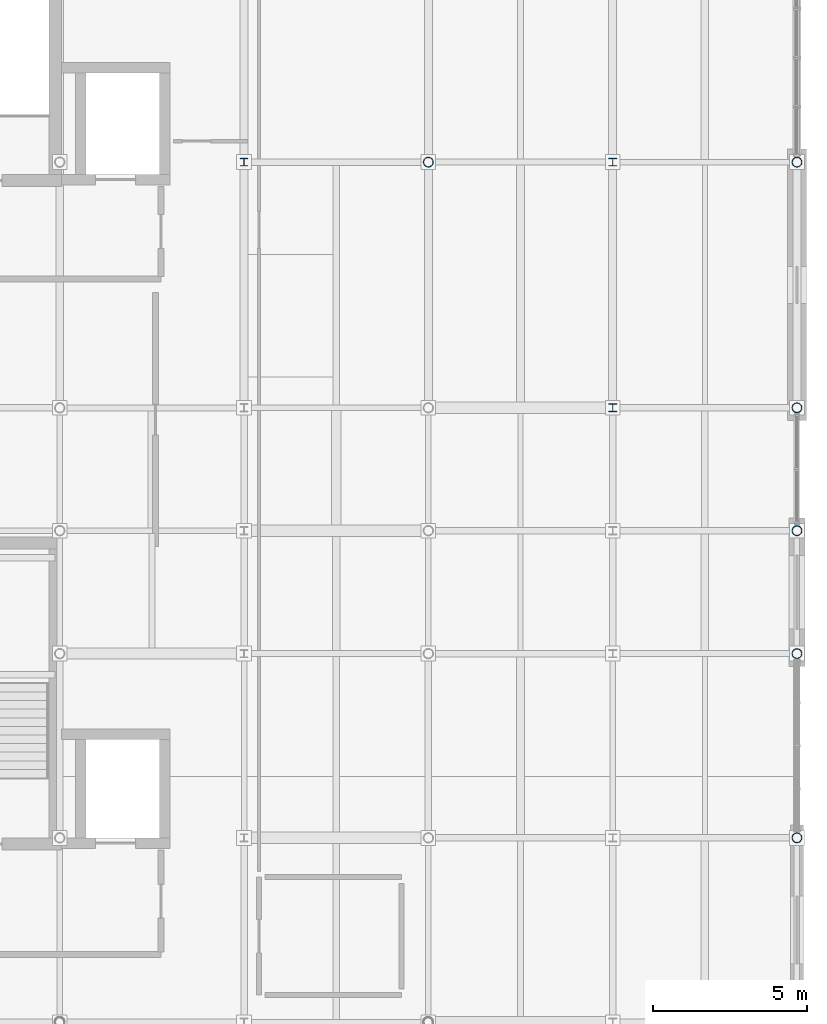
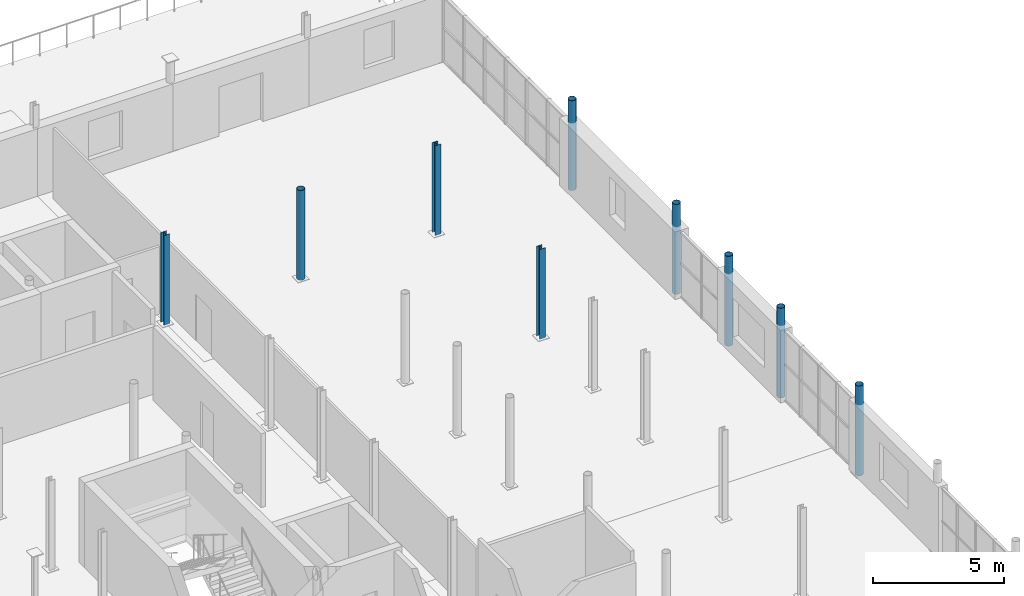
# One storey, part 8 of 30: 9 columns.
"""IFC4 building model written with IfcOpenShell, lengths in metres."""

import ifcopenshell
import ifcopenshell.guid

model = None  # the IFC model being written
_history = None  # IfcOwnerHistory: only IFC2X3 demands one
_inside = {}  # id of a spatial element -> (the spatial element, [elements in it])
_under = {}  # id of a project, library or spatial element -> (it, [spatial elements below it])
_declared = {}  # id of a project -> (the project, [libraries it declares])
_typed = {}  # id of a type object -> (the type object, [elements of that type])
_made_of = {}  # id of a material, layer set ... -> (it, [elements and type objects made of it])


def new_model(schema):
    """Start an empty IFC model of exactly this schema.

    Asked for "IFC4X3", IfcOpenShell would pick the latest addendum, in which some entities
    have other attributes; the version numbers below select the first issue.
    IFC2X3 requires an IfcOwnerHistory on every rooted entity: one is made here for all.
    """
    global model, _history
    if schema == "IFC4X3":
        model = ifcopenshell.file(schema_version=(4, 3, 0, 0))
    else:
        model = ifcopenshell.file(schema=schema)
    _inside.clear()
    _under.clear()
    _declared.clear()
    _typed.clear()
    _made_of.clear()
    _history = None
    if model.schema == "IFC2X3":
        org = make("IfcOrganization", Name="unknown")
        user = make(
            "IfcPersonAndOrganization",
            ThePerson=make("IfcPerson", FamilyName="unknown"),
            TheOrganization=org,
        )
        app = make(
            "IfcApplication",
            ApplicationDeveloper=org,
            Version="unknown",
            ApplicationFullName="unknown",
            ApplicationIdentifier="unknown",
        )
        _history = make(
            "IfcOwnerHistory",
            OwningUser=user,
            OwningApplication=app,
            ChangeAction="ADDED",
            CreationDate=0,
        )
    return model


def make(cls, **values):
    """One entity of the class cls with the attributes given. An attribute that is None is left unset."""
    return model.create_entity(
        cls, **{name: value for name, value in values.items() if value is not None}
    )


def rooted(cls, **values):
    """An entity with a GlobalId (a new one), such as an element, a storey or a relation."""
    return make(cls, GlobalId=ifcopenshell.guid.new(), OwnerHistory=_history, **values)


def si_unit(unit_type, name, prefix=None):
    """IfcSIUnit, for example si_unit("LENGTHUNIT", "METRE", prefix="MILLI")."""
    return make("IfcSIUnit", UnitType=unit_type, Prefix=prefix, Name=name)


def assignment(units):
    """IfcUnitAssignment: the units of a project."""
    return None if units is None else make("IfcUnitAssignment", Units=units)


def point(xyz):
    """IfcCartesianPoint."""
    return None if xyz is None else make("IfcCartesianPoint", Coordinates=xyz)


def direction(xyz):
    """IfcDirection."""
    return None if xyz is None else make("IfcDirection", DirectionRatios=xyz)


def frame(location, z_axis=None, x_axis=None):
    """IfcAxis2Placement3D, a coordinate frame: its origin and axes. An axis left out is left unset."""
    return make(
        "IfcAxis2Placement3D",
        Location=point(location),
        Axis=direction(z_axis),
        RefDirection=direction(x_axis),
    )


def frame_2d(location, x_axis=None):
    """IfcAxis2Placement2D, a coordinate frame in the plane: its origin and x axis."""
    return make(
        "IfcAxis2Placement2D", Location=point(location), RefDirection=direction(x_axis)
    )


def origin():
    """The frame at (0, 0, 0) with its axes left unset."""
    return frame((0.0, 0.0, 0.0))


def origin_2d():
    """The frame at (0, 0) in the plane with its x axis left unset."""
    return frame_2d((0.0, 0.0))


def place(relative_to, where):
    """IfcLocalPlacement: puts the frame where relative to a parent placement (None: the world)."""
    return make(
        "IfcLocalPlacement", PlacementRelTo=relative_to, RelativePlacement=where
    )


def context(
    kind, dimensions, precision=None, world=None, true_north=None, identifier=None
):
    """IfcGeometricRepresentationContext, for example the 3D "Model" context."""
    return make(
        "IfcGeometricRepresentationContext",
        ContextIdentifier=identifier,
        ContextType=kind,
        CoordinateSpaceDimension=dimensions,
        Precision=precision,
        WorldCoordinateSystem=world,
        TrueNorth=true_north,
    )


def subcontext(parent, identifier, kind, view, scale=None):
    """IfcGeometricRepresentationSubContext, for example "Body" below "Model"."""
    return make(
        "IfcGeometricRepresentationSubContext",
        ContextIdentifier=identifier,
        ContextType=kind,
        ParentContext=parent,
        TargetScale=scale,
        TargetView=view,
    )


def project(units=None, contexts=None):
    """IfcProject with its units and contexts."""
    return rooted(
        "IfcProject",
        Name="project",
        RepresentationContexts=contexts,
        UnitsInContext=assignment(units),
    )


def spatial(cls, under=None, at=None, **own):
    """A site, building, storey or space (cls), placed at a placement, below another one or the project."""
    s = rooted(cls, ObjectPlacement=at, **own)
    if under is not None:
        _under.setdefault(under.id(), (under, []))[1].append(s)
    return s


def profile(cls, at=None, kind="AREA", **sizes):
    """A parametric profile (cls). Its sizes go by their IFC names, for example OverallWidth=200.0."""
    return make(cls, ProfileType=kind, Position=at, **sizes)


def hollow_circle(**sizes):
    """IfcCircleHollowProfileDef."""
    return profile("IfcCircleHollowProfileDef", **sizes)


def i_section(**sizes):
    """IfcIShapeProfileDef."""
    return profile("IfcIShapeProfileDef", **sizes)


def extrude(swept, where, along, depth):
    """IfcExtrudedAreaSolid: the profile swept, set in the frame where, extruded along a direction by depth."""
    return make(
        "IfcExtrudedAreaSolid",
        SweptArea=swept,
        Position=where,
        ExtrudedDirection=direction(along),
        Depth=depth,
    )


def shape(context_of_items, identifier, shape_type, items):
    """IfcShapeRepresentation: the items that make up one representation, for example the "Body"."""
    return make(
        "IfcShapeRepresentation",
        ContextOfItems=context_of_items,
        RepresentationIdentifier=identifier,
        RepresentationType=shape_type,
        Items=items,
    )


def material(Name=None, Category=None):
    """IfcMaterial."""
    return make("IfcMaterial", Name=Name, Category=Category)


def material_profile(
    of_material, cross_section, Name=None, Category=None, Priority=None
):
    """IfcMaterialProfile: a cross section and its material."""
    return make(
        "IfcMaterialProfile",
        Name=Name,
        Material=of_material,
        Profile=cross_section,
        Priority=Priority,
        Category=Category,
    )


def profile_set(profiles, Name=None, composite=None):
    """IfcMaterialProfileSet."""
    return make(
        "IfcMaterialProfileSet",
        Name=Name,
        MaterialProfiles=profiles,
        CompositeProfile=composite,
    )


def made_of(thing, what):
    """Note that an element or type object is made of a material, layer set ...; save() writes the relation."""
    if what is not None:
        _made_of.setdefault(what.id(), (what, []))[1].append(thing)
    return thing


def type_object(cls, material=None, **own):
    """A type object (cls), such as IfcWallType, which elements share."""
    return made_of(rooted(cls, **own), material)


def element(
    cls,
    number,
    at=None,
    inside=None,
    cuts=None,
    type_object=None,
    material=None,
    context=None,
    identifier="Body",
    shape_type=None,
    held_by="IfcProductDefinitionShape",
    body=None,
    shapes=None,
    **own,
):
    """One element of the class cls, such as IfcWall. Its Tag is "e" and its number.

    at: its placement. inside: the storey or other place that contains it. cuts: it is an
    opening in that element (IfcRelVoidsElement). A single representation is given by context,
    identifier, shape_type and body (its items); several are given by shapes. held_by: the class
    of the entity that holds the representations. save() writes the other relations.
    """
    e = rooted(cls, Tag="e%d" % number, ObjectPlacement=at, **own)
    if body is not None:
        shapes = [shape(context, identifier, shape_type, body)]
    if shapes is not None:
        e.Representation = make(held_by, Representations=shapes)
    if inside is not None:
        _inside.setdefault(inside.id(), (inside, []))[1].append(e)
    if cuts is not None:
        rooted(
            "IfcRelVoidsElement", RelatingBuildingElement=cuts, RelatedOpeningElement=e
        )
    if type_object is not None:
        _typed.setdefault(type_object.id(), (type_object, []))[1].append(e)
    return made_of(e, material)


def aggregate(whole, parts):
    """IfcRelAggregates: a whole, such as a stair, and the parts it consists of."""
    return rooted("IfcRelAggregates", RelatingObject=whole, RelatedObjects=parts)


def save(model, path):
    """Write the relations noted so far, then the file.

    IfcRelAggregates (storeys below a building ...), IfcRelContainedInSpatialStructure (elements
    in a storey), IfcRelDefinesByType, IfcRelAssociatesMaterial and IfcRelDeclares: one each for
    every whole, place, type object, material and project.
    """
    for whole, parts in _under.values():
        aggregate(whole, parts)
    for where, things in _inside.values():
        rooted(
            "IfcRelContainedInSpatialStructure",
            RelatedElements=things,
            RelatingStructure=where,
        )
    for kind, things in _typed.values():
        rooted("IfcRelDefinesByType", RelatedObjects=things, RelatingType=kind)
    for what, things in _made_of.values():
        rooted("IfcRelAssociatesMaterial", RelatedObjects=things, RelatingMaterial=what)
    for by, libraries in _declared.values():
        rooted("IfcRelDeclares", RelatingContext=by, RelatedDefinitions=libraries)
    model.write(path)


model = new_model("IFC4")

# Units and contexts
model_context = context("Model", 3, precision=1e-05, world=origin(), true_north=direction((0.0, 1.0)))
body_context = subcontext(model_context, "Body", "Model", "MODEL_VIEW")
ifc_project = project(units=[si_unit("LENGTHUNIT", "METRE"), si_unit("AREAUNIT", "SQUARE_METRE"), si_unit("VOLUMEUNIT", "CUBIC_METRE"), si_unit("PLANEANGLEUNIT", "RADIAN"), si_unit("MASSUNIT", "GRAM", prefix="KILO")], contexts=[model_context])

# Site, building, storey
site_placement = place(None, origin())
site = spatial("IfcSite", under=ifc_project, at=site_placement, CompositionType="ELEMENT")
building_placement = place(site_placement, origin())
building = spatial("IfcBuilding", under=site, at=building_placement, Name="Verrall Gate Interchange", CompositionType="ELEMENT")
storey_placement = place(building_placement, frame((0.0, 0.0, 19.39990234375)))
storey = spatial("IfcBuildingStorey", under=building, at=storey_placement, Name="L05", CompositionType="ELEMENT", Elevation=19.39990234375)

# Columns
ifc_material_1 = material(Name="Structural Steel CSA G40.21 350W", Category="steel")
ifc_material_profile_1 = material_profile(ifc_material_1, i_section(OverallWidth=0.25390625, OverallDepth=0.2529296875, WebThickness=0.008544921875, FlangeThickness=0.01416015625, FilletRadius=0.011962890625, at=origin_2d()), Name="W250x73")
ifc_profile_set_1 = profile_set([ifc_material_profile_1], Name="Structural Steel CSA G40.21 350W")
column_type_1 = type_object("IfcColumnType", Name="C-11 Column W250x73", PredefinedType="COLUMN", material=ifc_profile_set_1)
for number, where, z_axis, x_axis, name in (
    (1, (18.0, 56.0, 0.0), (0.0, 0.0, 1.0), (1.0, 0.0, 0.0), "L05 Column COL-L05-0456 (C-11)"),
    (2, (30.0, 48.0, 0.0), (0.0, 0.0, 1.0), (1.0, 0.0, 0.0), "L05 Column COL-L05-0682 (C-11)"),
    (3, (30.0, 56.0, 0.0), (0.0, 0.0, 1.0), (1.0, 0.0, 0.0), "L05 Column COL-L05-0690 (C-11)"),
):
    element("IfcColumn", number, at=place(storey_placement, frame(where, z_axis=z_axis, x_axis=x_axis)), inside=storey, type_object=column_type_1, Name=name, PredefinedType="COLUMN", context=body_context, shape_type="SweptSolid", body=[
        extrude(i_section(OverallWidth=0.25390625, OverallDepth=0.2529296875, WebThickness=0.008544921875, FlangeThickness=0.01416015625, FilletRadius=0.011962890625, at=origin_2d()), origin(), (0.0, 0.0, 1.0), 4.2001953125),
    ])
ifc_material_2 = material(Name="Structural Steel CSA G40.21 350WT Cat 4", Category="steel")
ifc_material_profile_2 = material_profile(ifc_material_2, hollow_circle(Radius=0.161865234375, WallThickness=0.0126953125, at=origin_2d()), Name="HSS324x13")
ifc_profile_set_2 = profile_set([ifc_material_profile_2], Name="Structural Steel CSA G40.21 350WT Cat 4")
column_type_2 = type_object("IfcColumnType", Name="C-15 Column HSS324x13", PredefinedType="COLUMN", material=ifc_profile_set_2)
for number, where, z_axis, x_axis, name in (
    (4, (24.0, 56.0, 0.0), (0.0, 0.0, 1.0), (1.0, 0.0, 0.0), "L05 Column COL-L05-0573 (C-15)"),
    (5, (36.0, 34.0, 0.0), (0.0, 0.0, 1.0), (1.0, 0.0, 0.0), "L05 Column COL-L05-0768 (C-15)"),
    (6, (36.0, 40.0, 0.0), (0.0, 0.0, 1.0), (1.0, 0.0, 0.0), "L05 Column COL-L05-0776 (C-15)"),
    (7, (36.0, 44.0, 0.0), (0.0, 0.0, 1.0), (1.0, 0.0, 0.0), "L05 Column COL-L05-0784 (C-15)"),
    (8, (36.0, 48.0, 0.0), (0.0, 0.0, 1.0), (1.0, 0.0, 0.0), "L05 Column COL-L05-0792 (C-15)"),
    (9, (36.0, 56.0, 0.0), (0.0, 0.0, 1.0), (1.0, 0.0, 0.0), "L05 Column COL-L05-0800 (C-15)"),
):
    element("IfcColumn", number, at=place(storey_placement, frame(where, z_axis=z_axis, x_axis=x_axis)), inside=storey, type_object=column_type_2, Name=name, PredefinedType="COLUMN", context=body_context, shape_type="SweptSolid", body=[
        extrude(hollow_circle(Radius=0.161865234375, WallThickness=0.0126953125, at=origin_2d()), origin(), (0.0, 0.0, 1.0), 4.2001953125),
    ])

save(model, "model.ifc")
